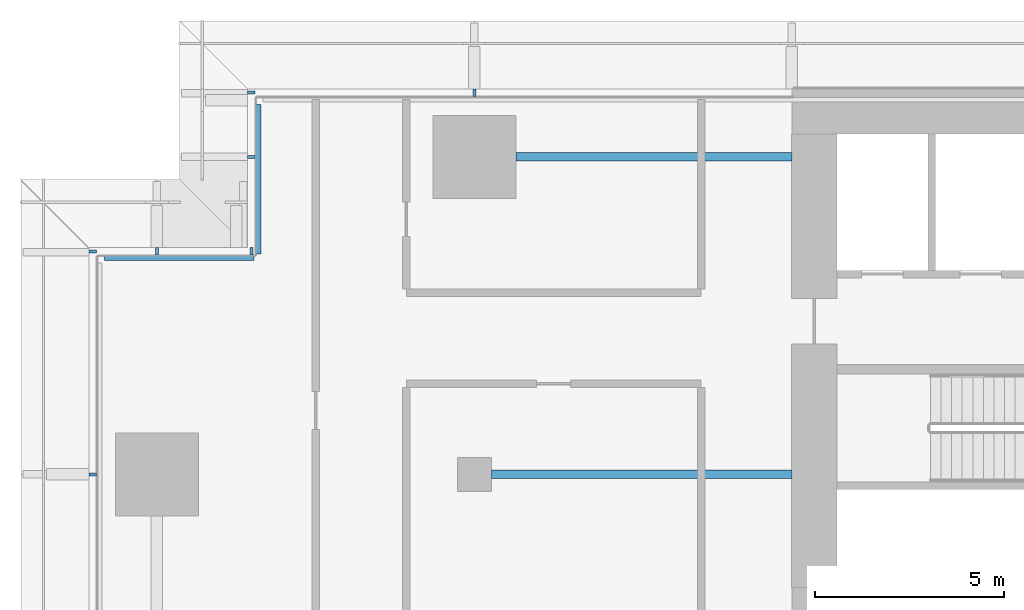
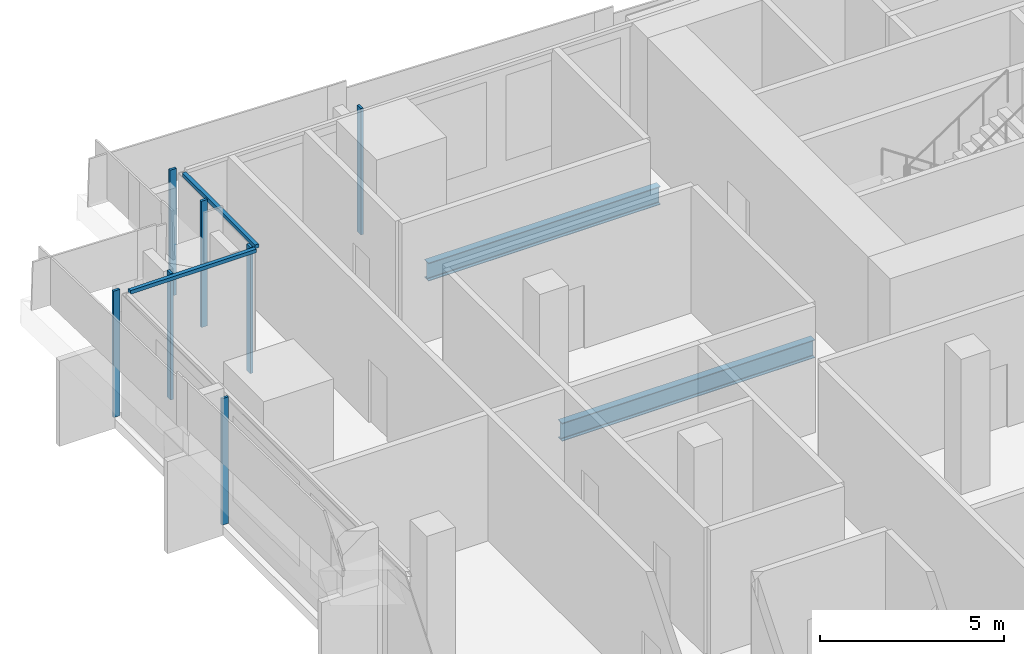
# One storey, part 6 of 24: 9 members, 2 beams, 4 elements without a shape of their own.
"""IFC4 building model written with IfcOpenShell, lengths in metres."""

from ifc_helpers import new_model, si_unit, direction, frame, origin, origin_2d, place, context, subcontext, project, spatial, rectangle, i_section, extrude, material, material_profile, profile_set, type_object, element, aggregate, save


model = new_model("IFC4")

# Units and contexts
model_context = context("Model", 3, precision=1e-05, world=origin(), true_north=direction((0.0, 1.0)))
body_context = subcontext(model_context, "Body", "Model", "MODEL_VIEW")
ifc_project = project(units=[si_unit("LENGTHUNIT", "METRE"), si_unit("AREAUNIT", "SQUARE_METRE"), si_unit("VOLUMEUNIT", "CUBIC_METRE"), si_unit("PLANEANGLEUNIT", "RADIAN"), si_unit("MASSUNIT", "GRAM", prefix="KILO")], contexts=[model_context])

# Site, building, storey
site_placement = place(None, origin())
site = spatial("IfcSite", under=ifc_project, at=site_placement, CompositionType="ELEMENT")
building_placement = place(site_placement, origin())
building = spatial("IfcBuilding", under=site, at=building_placement, Name="Saffron Gate Tower", CompositionType="ELEMENT")
storey_placement = place(building_placement, frame((0.0, 0.0, 28.199951171875)))
storey = spatial("IfcBuildingStorey", under=building, at=storey_placement, Name="L05", CompositionType="ELEMENT", Elevation=28.199951171875)

# Beams
ifc_material_1 = material(Name="Structural steel S355", Category="steel")
ifc_material_profile_1 = material_profile(ifc_material_1, i_section(OverallWidth=0.219970703125, OverallDepth=0.60009765625, WebThickness=0.011962890625, FlangeThickness=0.01904296875, FilletRadius=0.02392578125, at=origin_2d()))
ifc_profile_set_1 = profile_set([ifc_material_profile_1], Name="Structural steel S355")
beam_type = type_object("IfcBeamType", Name="B15 IPE 600", PredefinedType="BEAM", material=ifc_profile_set_1)
beam_1_placement = place(storey_placement, frame((58.64990234375, 65.39990234375, -0.599853515625), z_axis=(1.0, 0.0, 0.0), x_axis=(0.0, 1.0, 0.0)))
element("IfcBeam", 1, at=beam_1_placement, inside=storey, type_object=beam_type, Name="B15 CORE TIE BEAM", PredefinedType="BEAM", context=body_context, shape_type="SweptSolid", body=[
    extrude(i_section(OverallWidth=0.219970703125, OverallDepth=0.60009765625, WebThickness=0.011962890625, FlangeThickness=0.01904296875, FilletRadius=0.02392578125, at=origin_2d()), origin(), (0.0, 0.0, 1.0), 7.9501953125),
])
beam_2_placement = place(storey_placement, frame((59.300048828125, 73.800048828125, -0.599853515625), z_axis=(1.0, 0.0, 0.0), x_axis=(0.0, 1.0, 0.0)))
element("IfcBeam", 2, at=beam_2_placement, inside=storey, type_object=beam_type, Name="B15 CORE TIE BEAM", PredefinedType="BEAM", context=body_context, shape_type="SweptSolid", body=[
    extrude(i_section(OverallWidth=0.219970703125, OverallDepth=0.60009765625, WebThickness=0.011962890625, FlangeThickness=0.01904296875, FilletRadius=0.02392578125, at=origin_2d()), origin(), (0.0, 0.0, 1.0), 7.300048828125),
])

# Curtain wall, member
ifc_material_2 = material(Name="Aluminium, bronze anodised", Category="aluminium")
curtain_wall_type = type_object("IfcCurtainWallType", Name="CWS6 curtain wall tall storeys", PredefinedType="NOTDEFINED", material=ifc_material_2)
curtain_wall_1_placement = place(storey_placement, origin())
curtain_wall_1 = element("IfcCurtainWall", 3, at=curtain_wall_1_placement, inside=storey, type_object=curtain_wall_type, Name="CWS6 run 8", PredefinedType="NOTDEFINED")
ifc_material_profile_2 = material_profile(ifc_material_2, rectangle(XDim=0.1201171875, YDim=0.1201171875, at=origin_2d()))
ifc_profile_set_2 = profile_set([ifc_material_profile_2], Name="Aluminium, bronze anodised")
member_type_1 = type_object("IfcMemberType", Name="CWS6 head transom", PredefinedType="USERDEFINED", material=ifc_profile_set_2)
member_1_placement = place(storey_placement, frame((52.488037109375, 75.19189453125, 4.14013671875), z_axis=(0.0, -1.0, 0.0), x_axis=(1.0, 0.0, 0.0)))
member_1 = element("IfcMember", 4, at=member_1_placement, type_object=member_type_1, Name="CWS6 head transom", ObjectType="TRANSOM", PredefinedType="USERDEFINED", context=body_context, shape_type="SweptSolid", body=[
    extrude(rectangle(XDim=0.1201171875, YDim=0.1201171875, at=origin_2d()), origin(), (0.0, 0.0, 1.0), 3.9599609375),
])

curtain_wall_2_placement = place(storey_placement, origin())
curtain_wall_2 = element("IfcCurtainWall", 5, at=curtain_wall_2_placement, inside=storey, type_object=curtain_wall_type, Name="CWS6 run 9", PredefinedType="NOTDEFINED")
member_2_placement = place(storey_placement, frame((52.367919921875, 71.112060546875, 4.14013671875), z_axis=(-1.0, 0.0, 0.0), x_axis=(0.0, -1.0, 0.0)))
member_2 = element("IfcMember", 6, at=member_2_placement, type_object=member_type_1, Name="CWS6 head transom", ObjectType="TRANSOM", PredefinedType="USERDEFINED", context=body_context, shape_type="SweptSolid", body=[
    extrude(rectangle(XDim=0.1201171875, YDim=0.1201171875, at=origin_2d()), origin(), (0.0, 0.0, 1.0), 3.9599609375),
])

curtain_wall_3_placement = place(storey_placement, origin())
curtain_wall_3 = element("IfcCurtainWall", 7, at=curtain_wall_3_placement, inside=storey, type_object=curtain_wall_type, Name="CWS6 run 7", PredefinedType="NOTDEFINED")
ifc_material_profile_3 = material_profile(ifc_material_2, rectangle(XDim=0.199951171875, YDim=0.080078125, at=origin_2d()))
ifc_profile_set_3 = profile_set([ifc_material_profile_3], Name="Aluminium, bronze anodised")
member_type_2 = type_object("IfcMemberType", Name="CWS6 mullion 80x200", PredefinedType="MULLION", material=ifc_profile_set_3)
member_3_placement = place(storey_placement, frame((58.199951171875, 75.5, 0.0), z_axis=(0.0, 0.0, 1.0), x_axis=(0.0, -1.0, 0.0)))
member_3 = element("IfcMember", 8, at=member_3_placement, type_object=member_type_2, Name="CWS6 mullion 9", PredefinedType="MULLION", context=body_context, shape_type="SweptSolid", body=[
    extrude(rectangle(XDim=0.199951171875, YDim=0.080078125, at=origin_2d()), origin(), (0.0, 0.0, 1.0), 4.199951171875),
])
aggregate(curtain_wall_3, [member_3])

# Member
member_4_placement = place(storey_placement, frame((52.300048828125, 75.5, 0.0), z_axis=(0.0, 0.0, 1.0), x_axis=(1.0, 0.0, 0.0)))
member_4 = element("IfcMember", 9, at=member_4_placement, type_object=member_type_2, Name="CWS6 mullion 1", PredefinedType="MULLION", context=body_context, shape_type="SweptSolid", body=[
    extrude(rectangle(XDim=0.199951171875, YDim=0.080078125, at=origin_2d()), origin(), (0.0, 0.0, 1.0), 4.199951171875),
])

member_5_placement = place(storey_placement, frame((52.300048828125, 73.800048828125, 0.0), z_axis=(0.0, 0.0, 1.0), x_axis=(1.0, 0.0, 0.0)))
member_5 = element("IfcMember", 10, at=member_5_placement, type_object=member_type_2, Name="CWS6 mullion 2", PredefinedType="MULLION", context=body_context, shape_type="SweptSolid", body=[
    extrude(rectangle(XDim=0.199951171875, YDim=0.080078125, at=origin_2d()), origin(), (0.0, 0.0, 1.0), 4.199951171875),
])

aggregate(curtain_wall_1, [member_4, member_5, member_1])

member_6_placement = place(storey_placement, frame((52.300048828125, 71.300048828125, 0.0), z_axis=(0.0, 0.0, 1.0), x_axis=(0.0, -1.0, 0.0)))
member_6 = element("IfcMember", 11, at=member_6_placement, type_object=member_type_2, Name="CWS6 mullion 1", PredefinedType="MULLION", context=body_context, shape_type="SweptSolid", body=[
    extrude(rectangle(XDim=0.199951171875, YDim=0.080078125, at=origin_2d()), origin(), (0.0, 0.0, 1.0), 4.199951171875),
])

member_7_placement = place(storey_placement, frame((49.800048828125, 71.300048828125, 0.0), z_axis=(0.0, 0.0, 1.0), x_axis=(0.0, -1.0, 0.0)))
member_7 = element("IfcMember", 12, at=member_7_placement, type_object=member_type_2, Name="CWS6 mullion 2", PredefinedType="MULLION", context=body_context, shape_type="SweptSolid", body=[
    extrude(rectangle(XDim=0.199951171875, YDim=0.080078125, at=origin_2d()), origin(), (0.0, 0.0, 1.0), 4.199951171875),
])

aggregate(curtain_wall_2, [member_6, member_7, member_2])

# Curtain wall, members
curtain_wall_4_placement = place(storey_placement, origin())
curtain_wall_4 = element("IfcCurtainWall", 13, at=curtain_wall_4_placement, inside=storey, type_object=curtain_wall_type, Name="CWS6 run 10", PredefinedType="NOTDEFINED")
member_8_placement = place(storey_placement, frame((48.10009765625, 71.300048828125, 0.0), z_axis=(0.0, 0.0, 1.0), x_axis=(1.0, 0.0, 0.0)))
member_8 = element("IfcMember", 14, at=member_8_placement, type_object=member_type_2, Name="CWS6 mullion 1", PredefinedType="MULLION", context=body_context, shape_type="SweptSolid", body=[
    extrude(rectangle(XDim=0.199951171875, YDim=0.080078125, at=origin_2d()), origin(), (0.0, 0.0, 1.0), 4.199951171875),
])
member_9_placement = place(storey_placement, frame((48.10009765625, 65.39990234375, 0.0), z_axis=(0.0, 0.0, 1.0), x_axis=(1.0, 0.0, 0.0)))
member_9 = element("IfcMember", 15, at=member_9_placement, type_object=member_type_2, Name="CWS6 mullion 2", PredefinedType="MULLION", context=body_context, shape_type="SweptSolid", body=[
    extrude(rectangle(XDim=0.199951171875, YDim=0.080078125, at=origin_2d()), origin(), (0.0, 0.0, 1.0), 4.199951171875),
])
aggregate(curtain_wall_4, [member_8, member_9])

save(model, "model.ifc")
